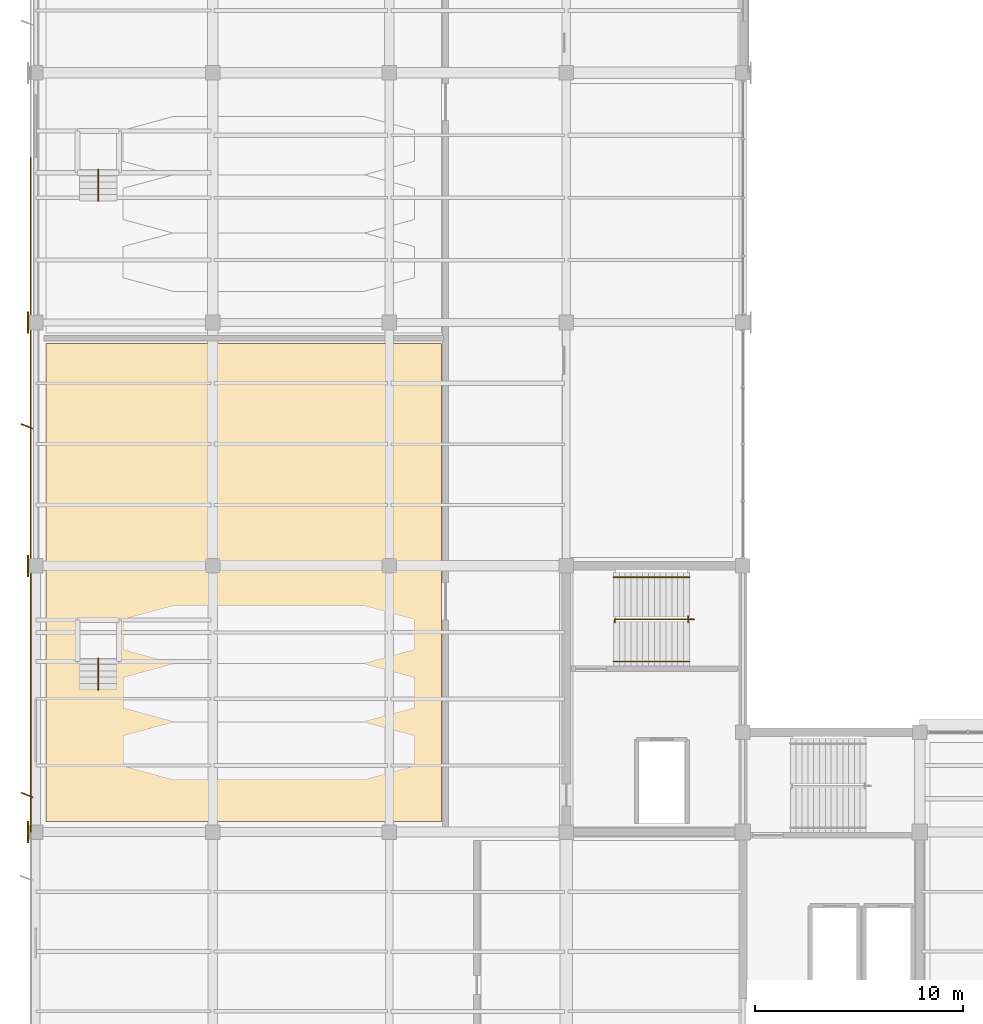
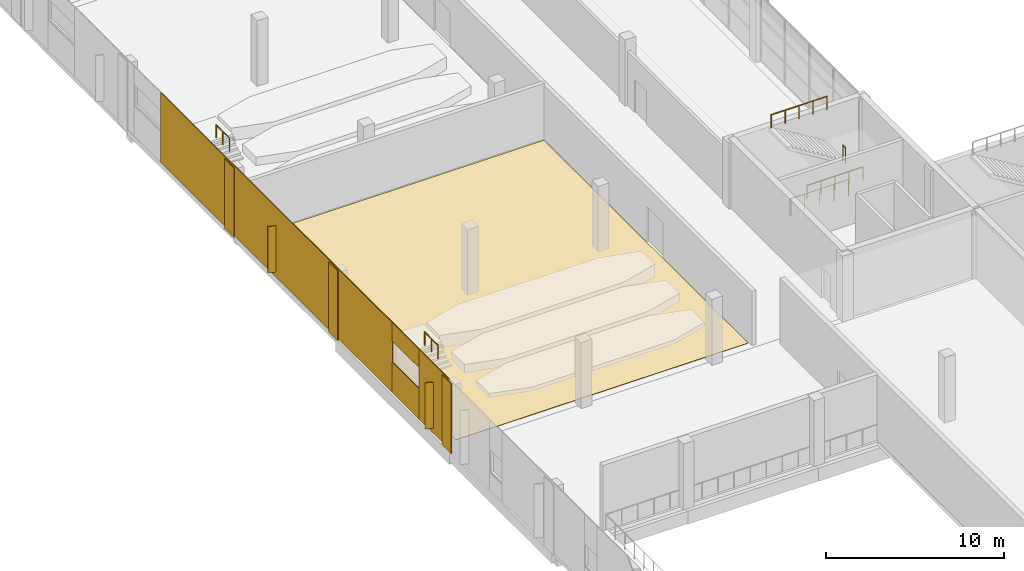
# One storey, part 101 of 112: 10 coverings, 6 railings.
"""IFC4 building model written with IfcOpenShell, lengths in metres."""

from ifc_helpers import new_model, si_unit, direction, frame, origin, origin_2d, place, context, subcontext, project, spatial, polyline, rectangle, circle, outline, extrude, material, layer, layer_set, type_object, element, save


model = new_model("IFC4")

# Units and contexts
model_context = context("Model", 3, precision=1e-05, world=origin(), true_north=direction((0.0, 1.0)))
body_context = subcontext(model_context, "Body", "Model", "MODEL_VIEW")
ifc_project = project(units=[si_unit("LENGTHUNIT", "METRE"), si_unit("AREAUNIT", "SQUARE_METRE"), si_unit("VOLUMEUNIT", "CUBIC_METRE"), si_unit("PLANEANGLEUNIT", "RADIAN"), si_unit("MASSUNIT", "GRAM", prefix="KILO")], contexts=[model_context])

# Site, building, storey
site_placement = place(None, origin())
site = spatial("IfcSite", under=ifc_project, at=site_placement, CompositionType="ELEMENT")
building_placement = place(site_placement, origin())
building = spatial("IfcBuilding", under=site, at=building_placement, Name="Solvikara Media Centre", CompositionType="ELEMENT")
storey_placement = place(building_placement, frame((0.0, 0.0, 5.39990234375)))
storey = spatial("IfcBuildingStorey", under=building, at=storey_placement, Name="L01", CompositionType="ELEMENT", Elevation=5.39990234375)

# Coverings
ifc_material_1 = material(Name="Polished terrazzo floor finish")
ifc_layer_1 = layer(ifc_material_1, 0.030029296875)
ifc_layer_set_1 = layer_set([ifc_layer_1], Name="Polished terrazzo floor finish")
covering_type_1 = type_object("IfcCoveringType", Name="CV-02", PredefinedType="FLOORING", material=ifc_layer_set_1)
covering_1_placement = place(storey_placement, origin())
element("IfcCovering", 1, at=covering_1_placement, inside=storey, type_object=covering_type_1, Name="FLR-017", PredefinedType="FLOORING", context=body_context, shape_type="SweptSolid", body=[
    extrude(outline(polyline([(0.5, 32.5), (19.5, 32.5), (19.5, 55.5), (0.5, 55.5), (0.5, 32.5)])), origin(), (0.0, 0.0, 1.0), 0.030029296875),
])
ifc_material_2 = material(Name="GFRC white mineral architectural rainscreen panel")
ifc_layer_2 = layer(ifc_material_2, 0.050048828125)
ifc_layer_set_2 = layer_set([ifc_layer_2], Name="GFRC white mineral architectural rainscreen panel")
covering_type_2 = type_object("IfcCoveringType", Name="CV-04", PredefinedType="CLADDING", material=ifc_layer_set_2)
for number, where, z_axis, x_axis, name in (
    (2, (-0.375, 32.0, 0.0), (0.0, 0.0, 1.0), (0.0, -1.0, 0.0), "PIL-L01-014"),
    (3, (-0.375, 44.800048828125, 0.0), (0.0, 0.0, 1.0), (0.0, -1.0, 0.0), "PIL-L01-018"),
    (4, (-0.375, 56.5, 0.0), (0.0, 0.0, 1.0), (0.0, -1.0, 0.0), "PIL-L01-022"),
):
    element("IfcCovering", number, at=place(storey_placement, frame(where, z_axis=z_axis, x_axis=x_axis)), inside=storey, type_object=covering_type_2, Name=name, PredefinedType="CLADDING", context=body_context, shape_type="SweptSolid", body=[
        extrude(rectangle(XDim=1.0400390625, YDim=0.050048828125, at=origin_2d()), origin(), (0.0, 0.0, 1.0), 4.800048828125),
    ])
covering_2_placement = place(storey_placement, frame((-0.2451171875, 33.675048828125, 0.0), z_axis=(0.0, 0.0, 1.0), x_axis=(0.0, 1.0, 0.0)))
element("IfcCovering", 5, at=covering_2_placement, inside=storey, type_object=covering_type_2, Name="L01-V4W-CV-F01", PredefinedType="CLADDING", context=body_context, shape_type="SweptSolid", body=[
    extrude(rectangle(XDim=3.35009765625, YDim=0.050048828125, at=origin_2d()), origin(), (0.0, 0.0, 1.0), 4.800048828125),
])
covering_3_placement = place(storey_placement, frame((-0.425048828125, 33.784912109375, 0.35009765625), z_axis=(0.0, 0.0, 1.0), x_axis=(-0.930749810713, 0.3656566557, 0.0)))
element("IfcCovering", 6, at=covering_3_placement, inside=storey, type_object=covering_type_2, Name="L01-V4W-FIN-01", PredefinedType="CLADDING", context=body_context, shape_type="SweptSolid", body=[
    extrude(rectangle(XDim=0.60205078125, YDim=0.050048828125, at=origin_2d()), origin(), (0.0, 0.0, 1.0), 3.179931640625),
])
covering_4_placement = place(storey_placement, frame((-0.2451171875, 36.85009765625, 0.0), z_axis=(0.0, 0.0, 1.0), x_axis=(0.0, 1.0, 0.0)))
element("IfcCovering", 7, at=covering_4_placement, inside=storey, type_object=covering_type_2, Name="L01-V4W-CV-S02", PredefinedType="CLADDING", context=body_context, shape_type="SweptSolid", body=[
    extrude(rectangle(XDim=3.0, YDim=0.050048828125, at=origin_2d()), origin(), (0.0, 0.0, 1.0), 2.090087890625),
])
covering_5_placement = place(storey_placement, frame((-0.2451171875, 36.85009765625, 3.550048828125), z_axis=(0.0, 0.0, 1.0), x_axis=(0.0, 1.0, 0.0)))
element("IfcCovering", 8, at=covering_5_placement, inside=storey, type_object=covering_type_2, Name="L01-V4W-CV-H02", PredefinedType="CLADDING", context=body_context, shape_type="SweptSolid", body=[
    extrude(rectangle(XDim=3.0, YDim=0.050048828125, at=origin_2d()), origin(), (0.0, 0.0, 1.0), 1.25),
])
covering_6_placement = place(storey_placement, frame((-0.2451171875, 51.39990234375, 0.0), z_axis=(0.0, 0.0, 1.0), x_axis=(0.0, 1.0, 0.0)))
element("IfcCovering", 9, at=covering_6_placement, inside=storey, type_object=covering_type_2, Name="L01-V4W-CV-F03", PredefinedType="CLADDING", context=body_context, shape_type="SweptSolid", body=[
    extrude(rectangle(XDim=26.10009765625, YDim=0.050048828125, at=origin_2d()), origin(), (0.0, 0.0, 1.0), 4.800048828125),
])
covering_7_placement = place(storey_placement, frame((-0.425048828125, 51.510009765625, 0.35009765625), z_axis=(0.0, 0.0, 1.0), x_axis=(-0.930749810713, 0.3656566557, 0.0)))
element("IfcCovering", 10, at=covering_7_placement, inside=storey, type_object=covering_type_2, Name="L01-V4W-FIN-03", PredefinedType="CLADDING", context=body_context, shape_type="SweptSolid", body=[
    extrude(rectangle(XDim=0.60205078125, YDim=0.050048828125, at=origin_2d()), origin(), (0.0, 0.0, 1.0), 3.179931640625),
])

# Railings
ifc_material_3 = material(Name="Steel S355JR", Category="steel")
railing_type_1 = type_object("IfcRailingType", Name="GR-01", PredefinedType="GUARDRAIL", material=ifc_material_3)
railing_1_placement = place(storey_placement, frame((27.840087890625, 42.080078125, 0.0)))
element("IfcRailing", 11, at=railing_1_placement, inside=storey, type_object=railing_type_1, Name="GR-C1-L00-W", PredefinedType="GUARDRAIL", context=body_context, shape_type="SweptSolid", body=[
    extrude(circle(Radius=0.02392578125, at=origin_2d()), frame((0.0, 0.0, 1.1259765625), z_axis=(0.0, 1.0, 0.0), x_axis=(-1.0, 0.0, 0.0)), (0.0, 0.0, 1.0), 0.139892578125),
    extrude(circle(Radius=0.02392578125, at=origin_2d()), frame((0.0, 0.139892578125, 1.1259765625), z_axis=(1.0, 0.0, 0.0), x_axis=(0.0, 1.0, 0.0)), (0.0, 0.0, 1.0), 3.7998046875),
    extrude(circle(Radius=0.02099609375, at=origin_2d()), origin(), (0.0, 0.0, 1.0), 1.101806640625),
    extrude(circle(Radius=0.02099609375, at=origin_2d()), frame((0.0, 0.139892578125, 0.0)), (0.0, 0.0, 1.0), 1.101806640625),
    extrude(circle(Radius=0.02099609375, at=origin_2d()), frame((0.949951171875, 0.139892578125, 0.0)), (0.0, 0.0, 1.0), 1.101806640625),
    extrude(circle(Radius=0.02099609375, at=origin_2d()), frame((1.89990234375, 0.139892578125, 0.0)), (0.0, 0.0, 1.0), 1.101806640625),
    extrude(circle(Radius=0.02099609375, at=origin_2d()), frame((2.849853515625, 0.139892578125, 0.0)), (0.0, 0.0, 1.0), 1.101806640625),
    extrude(circle(Radius=0.02099609375, at=origin_2d()), frame((3.7998046875, 0.139892578125, 0.0)), (0.0, 0.0, 1.0), 1.101806640625),
])
railing_type_2 = type_object("IfcRailingType", Name="GR-02", PredefinedType="BALUSTRADE", material=ifc_material_3)
railing_2_placement = place(storey_placement, frame((31.360107421875, 42.080078125, 2.400146484375)))
element("IfcRailing", 12, at=railing_2_placement, inside=storey, type_object=railing_type_2, Name="GR-C1-L01-M", PredefinedType="BALUSTRADE", context=body_context, shape_type="SweptSolid", body=[
    extrude(circle(Radius=0.02392578125, at=origin_2d()), frame((0.0, 0.0, 1.09619140625), z_axis=(0.0, 1.0, 0.0), x_axis=(-1.0, 0.0, 0.0)), (0.0, 0.0, 1.0), 0.2900390625),
    extrude(circle(Radius=0.02099609375, at=origin_2d()), origin(), (0.0, 0.0, 1.0), 1.072021484375),
    extrude(circle(Radius=0.02099609375, at=origin_2d()), frame((0.0, 0.2900390625, 0.0)), (0.0, 0.0, 1.0), 1.072021484375),
])
railing_type_3 = type_object("IfcRailingType", Name="HR-01", PredefinedType="HANDRAIL", material=ifc_material_3)
railing_3_placement = place(storey_placement, frame((27.780029296875, 40.199951171875, 2.400146484375)))
element("IfcRailing", 13, at=railing_3_placement, inside=storey, type_object=railing_type_3, Name="HR-C1-L01-1", PredefinedType="HANDRAIL", context=body_context, shape_type="SweptSolid", body=[
    extrude(circle(Radius=0.02392578125, at=origin_2d()), frame((0.0, 0.0, 0.89599609375), z_axis=(1.0, 0.0, 0.0), x_axis=(0.0, 1.0, 0.0)), (0.0, 0.0, 1.0), 3.639892578125),
    extrude(circle(Radius=0.02099609375, at=origin_2d()), origin(), (0.0, 0.0, 1.0), 0.871826171875),
    extrude(circle(Radius=0.02099609375, at=origin_2d()), frame((0.909912109375, 0.0, 0.0)), (0.0, 0.0, 1.0), 0.871826171875),
    extrude(circle(Radius=0.02099609375, at=origin_2d()), frame((1.81982421875, 0.0, 0.0)), (0.0, 0.0, 1.0), 0.871826171875),
    extrude(circle(Radius=0.02099609375, at=origin_2d()), frame((2.72998046875, 0.0, 0.0)), (0.0, 0.0, 1.0), 0.871826171875),
    extrude(circle(Radius=0.02099609375, at=origin_2d()), frame((3.639892578125, 0.0, 0.0)), (0.0, 0.0, 1.0), 0.871826171875),
])
railing_4_placement = place(storey_placement, frame((31.419921875, 44.25, 4.800048828125)))
element("IfcRailing", 14, at=railing_4_placement, inside=storey, type_object=railing_type_3, Name="HR-C1-L01-2", PredefinedType="HANDRAIL", context=body_context, shape_type="SweptSolid", body=[
    extrude(circle(Radius=0.02392578125, at=origin_2d()), frame((0.0, 0.0, 0.89599609375), z_axis=(-1.0, 0.0, 0.0), x_axis=(0.0, -1.0, 0.0)), (0.0, 0.0, 1.0), 3.639892578125),
    extrude(circle(Radius=0.02099609375, at=origin_2d()), origin(), (0.0, 0.0, 1.0), 0.871826171875),
    extrude(circle(Radius=0.02099609375, at=origin_2d()), frame((-0.909912109375, 0.0, 0.0)), (0.0, 0.0, 1.0), 0.871826171875),
    extrude(circle(Radius=0.02099609375, at=origin_2d()), frame((-1.81982421875, 0.0, 0.0)), (0.0, 0.0, 1.0), 0.871826171875),
    extrude(circle(Radius=0.02099609375, at=origin_2d()), frame((-2.72998046875, 0.0, 0.0)), (0.0, 0.0, 1.0), 0.871826171875),
    extrude(circle(Radius=0.02099609375, at=origin_2d()), frame((-3.639892578125, 0.0, 0.0)), (0.0, 0.0, 1.0), 0.871826171875),
])
for number, where, name in (
    (15, (3.0, 38.85009765625, 0.900146484375), "HR-ST-MX4-AISLE"),
    (16, (3.0, 62.35009765625, 0.900146484375), "HR-ST-MX5-AISLE"),
):
    element("IfcRailing", number, at=place(storey_placement, frame(where)), inside=storey, type_object=railing_type_3, Name=name, PredefinedType="HANDRAIL", context=body_context, shape_type="SweptSolid", body=[
        extrude(circle(Radius=0.02392578125, at=origin_2d()), frame((0.0, 0.0, 0.89599609375), z_axis=(0.0, 1.0, 0.0), x_axis=(-1.0, 0.0, 0.0)), (0.0, 0.0, 1.0), 1.5),
        extrude(circle(Radius=0.02099609375, at=origin_2d()), origin(), (0.0, 0.0, 1.0), 0.871826171875),
        extrude(circle(Radius=0.02099609375, at=origin_2d()), frame((0.0, 0.75, 0.0)), (0.0, 0.0, 1.0), 0.871826171875),
        extrude(circle(Radius=0.02099609375, at=origin_2d()), frame((0.0, 1.5, 0.0)), (0.0, 0.0, 1.0), 0.871826171875),
    ])

save(model, "model.ifc")
